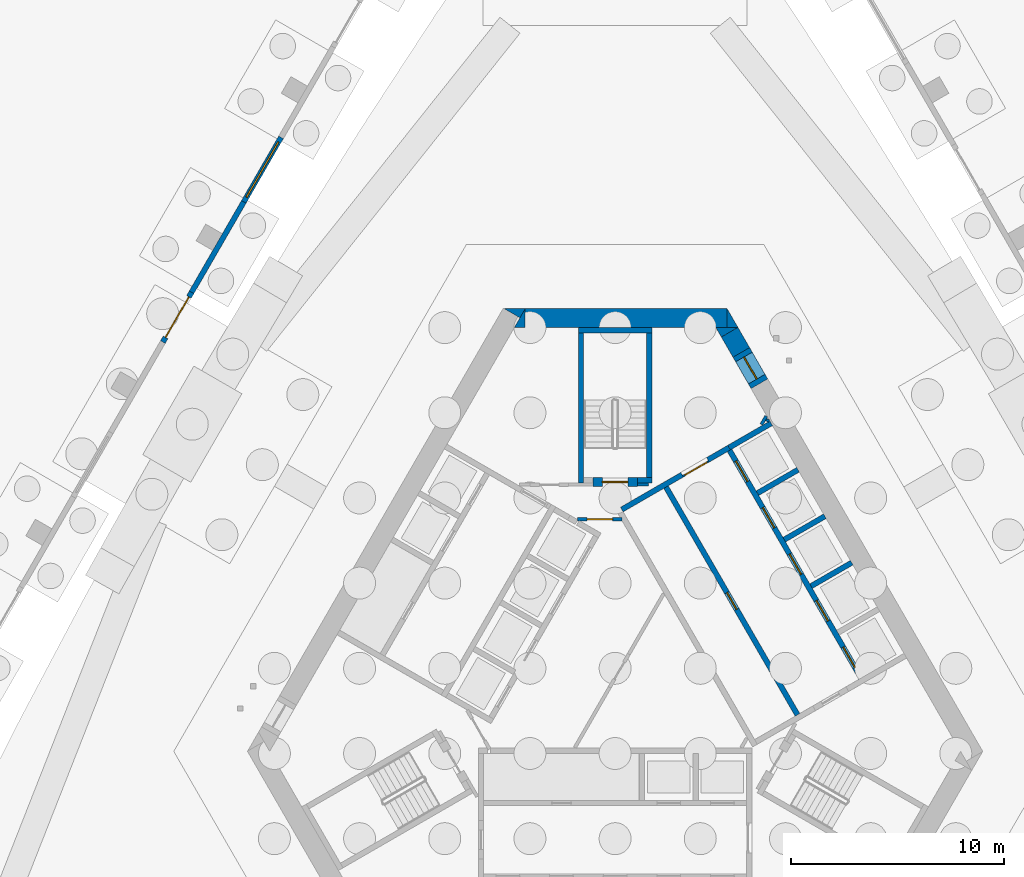
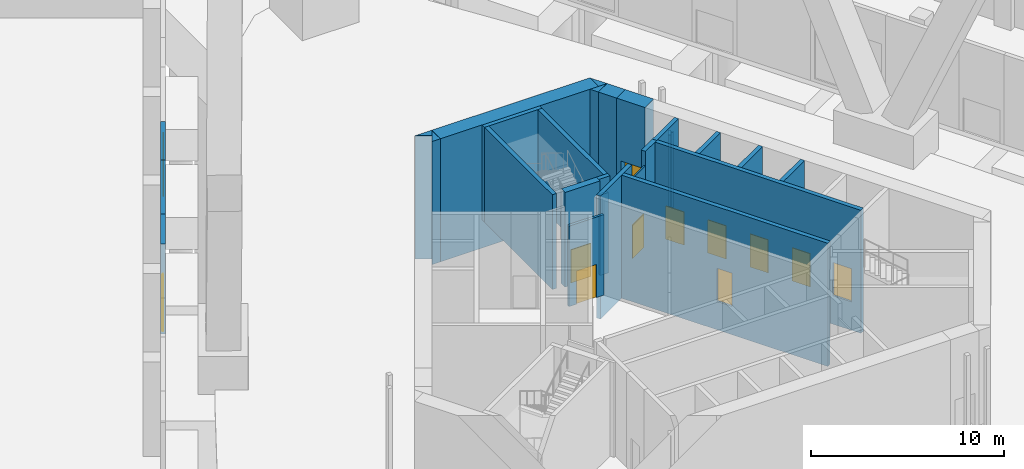
# One storey, part 17 of 38: 28 walls, 11 doors, 1 window, 12 openings.
"""IFC4 building model written with IfcOpenShell, lengths in metres."""

from ifc_helpers import new_model, si_unit, direction, frame, frame_2d, origin, place, context, subcontext, project, spatial, polyline, rectangle, outline, extrude, material, layer, layer_set, type_object, element, fill, save


model = new_model("IFC4")

# Units and contexts
model_context = context("Model", 3, precision=1e-05, world=origin(), true_north=direction((0.0, 1.0)))
body_context = subcontext(model_context, "Body", "Model", "MODEL_VIEW")
ifc_project = project(units=[si_unit("LENGTHUNIT", "METRE"), si_unit("AREAUNIT", "SQUARE_METRE"), si_unit("VOLUMEUNIT", "CUBIC_METRE"), si_unit("PLANEANGLEUNIT", "RADIAN"), si_unit("MASSUNIT", "GRAM", prefix="KILO")], contexts=[model_context])

# Site, building, storey
site_placement = place(None, origin())
site = spatial("IfcSite", under=ifc_project, at=site_placement, CompositionType="ELEMENT")
building_placement = place(site_placement, origin())
building = spatial("IfcBuilding", under=site, at=building_placement, Name="Mestral Congress Tower", CompositionType="ELEMENT")
storey_placement = place(building_placement, origin())
storey = spatial("IfcBuildingStorey", under=building, at=storey_placement, Name="L00", CompositionType="ELEMENT", Elevation=0.0)

# Walls
ifc_material_1 = material(Name="Fire-rated board partition")
ifc_layer_1 = layer(ifc_material_1, 0.14990234375)
ifc_layer_set_1 = layer_set([ifc_layer_1], Name="Fire-rated board partition")
wall_type_1 = type_object("IfcWallType", Name="Core partition 150", PredefinedType="PARTITIONING", material=ifc_layer_set_1)
wall_1_placement = place(storey_placement, frame((1.050048828125, 8.62548828125, 0.0), z_axis=(0.0, 0.0, 1.0), x_axis=(1.0, 0.0, 0.0)))
element("IfcWall", 1, at=wall_1_placement, inside=storey, type_object=wall_type_1, Name="L00 core wall", PredefinedType="PARTITIONING", context=body_context, shape_type="SweptSolid", body=[
    extrude(rectangle(XDim=0.513916015625, YDim=0.14990234375, at=frame_2d((0.2568359375, 0.0))), origin(), (0.0, 0.0, 1.0), 5.10009765625),
])
wall_2_placement = place(storey_placement, frame((6.87158203125, 11.44970703125, 0.0), z_axis=(0.0, 0.0, 1.0), x_axis=(0.499846793097, 0.866113839764, 0.0)))
element("IfcWall", 2, at=wall_2_placement, inside=storey, type_object=wall_type_1, Name="L00 core wall", PredefinedType="PARTITIONING", context=body_context, shape_type="SweptSolid", body=[
    extrude(rectangle(XDim=0.453369140625, YDim=0.14990234375, at=frame_2d((0.2265625, 0.0))), origin(), (0.0, 0.0, 1.0), 5.10009765625),
])
wall_3_placement = place(storey_placement, frame((7.13134765625, 11.599609375, 0.0), z_axis=(0.0, 0.0, 1.0), x_axis=(0.498600033135, 0.866832167699, 0.0)))
element("IfcWall", 3, at=wall_3_placement, inside=storey, type_object=wall_type_1, Name="L00 core wall", PredefinedType="PARTITIONING", context=body_context, shape_type="SweptSolid", body=[
    extrude(rectangle(XDim=0.106689453125, YDim=0.14990234375, at=frame_2d((0.05322265625, 0.0))), origin(), (0.0, 0.0, 1.0), 5.10009765625),
])

# Wall, opening, door
wall_4_placement = place(storey_placement, frame((-1.765380859375, 7.0, 0.0), z_axis=(0.0, 0.0, 1.0), x_axis=(1.0, 0.0, 0.0)))
wall_4 = element("IfcWall", 4, at=wall_4_placement, inside=storey, type_object=wall_type_1, Name="L00 door wall", PredefinedType="PARTITIONING", context=body_context, shape_type="SweptSolid", body=[
    extrude(rectangle(XDim=2.10009765625, YDim=0.14990234375, at=frame_2d((1.050048828125, 0.0))), origin(), (0.0, 0.0, 1.0), 5.10009765625),
])
opening_1_placement = place(wall_4_placement, frame((0.449951171875, 0.0, 0.0)))
opening_1 = element("IfcOpeningElement", 5, at=opening_1_placement, cuts=wall_4, Name="Opening CD2-FF", PredefinedType="OPENING", context=body_context, shape_type="SweptSolid", body=[
    extrude(rectangle(XDim=1.199951171875, YDim=2.10009765625, at=frame_2d((0.60009765625, 1.050048828125))), frame((0.0, 0.0849609375, 0.0), z_axis=(0.0, -1.0, 0.0), x_axis=(1.0, 0.0, 0.0)), (0.0, 0.0, 1.0), 0.169921875),
])
ifc_material_2 = material(Name="Fire-rated steel door set", Category="steel")
door_type_1 = type_object("IfcDoorType", Name="Core door CD 1200x2100", OperationType="SINGLE_SWING_LEFT", PredefinedType="DOOR", material=ifc_material_2)
door_1_placement = place(opening_1_placement, origin())
door_1 = element("IfcDoor", 6, at=door_1_placement, inside=storey, type_object=door_type_1, Name="Door CD2-FF", OperationType="SINGLE_SWING_LEFT", OverallHeight=2.10009765625, OverallWidth=1.199951171875, PredefinedType="DOOR", context=body_context, shape_type="SweptSolid", body=[
    extrude(rectangle(XDim=1.199951171875, YDim=2.10009765625, at=frame_2d((0.60009765625, 1.050048828125))), frame((0.0, 0.02490234375, 0.0), z_axis=(0.0, -1.0, 0.0), x_axis=(1.0, 0.0, 0.0)), (0.0, 0.0, 1.0), 0.050048828125),
])
fill(opening_1, door_1)

ifc_layer_2 = layer(ifc_material_1, 0.090087890625)
ifc_layer_set_2 = layer_set([ifc_layer_2], Name="Fire-rated board partition")
wall_type_2 = type_object("IfcWallType", Name="Core partition 150 door-wall 90", PredefinedType="PARTITIONING", material=ifc_layer_set_2)
wall_5_placement = place(storey_placement, frame((3.182861328125, 9.02001953125, 0.0), z_axis=(0.0, 0.0, 1.0), x_axis=(0.866034573852, 0.49998411664, 0.0)))
wall_5 = element("IfcWall", 7, at=wall_5_placement, inside=storey, type_object=wall_type_2, Name="L00 door wall", PredefinedType="PARTITIONING", context=body_context, shape_type="SweptSolid", body=[
    extrude(rectangle(XDim=1.39990234375, YDim=0.090087890625, at=frame_2d((0.699951171875, 0.0))), origin(), (0.0, 0.0, 1.0), 5.10009765625),
])
opening_2_placement = place(wall_5_placement, frame((0.10009765625, 0.0, 0.0)))
opening_2 = element("IfcOpeningElement", 8, at=opening_2_placement, cuts=wall_5, Name="Opening LB1-WL2", PredefinedType="OPENING", context=body_context, shape_type="SweptSolid", body=[
    extrude(rectangle(XDim=1.199951171875, YDim=2.10009765625, at=frame_2d((0.60009765625, 1.050048828125))), frame((0.0, 0.054931640625, 0.0), z_axis=(0.0, -1.0, 0.0), x_axis=(1.0, 0.0, 0.0)), (0.0, 0.0, 1.0), 0.110107421875),
])
door_type_2 = type_object("IfcDoorType", Name="Core door LB 1200x2100", OperationType="SINGLE_SWING_LEFT", PredefinedType="DOOR", material=ifc_material_2)
door_2_placement = place(opening_2_placement, origin())
door_2 = element("IfcDoor", 9, at=door_2_placement, inside=storey, type_object=door_type_2, Name="Door LB1-WL2", OperationType="SINGLE_SWING_LEFT", OverallHeight=2.10009765625, OverallWidth=1.199951171875, PredefinedType="DOOR", context=body_context, shape_type="SweptSolid", body=[
    extrude(rectangle(XDim=1.199951171875, YDim=2.10009765625, at=frame_2d((0.60009765625, 1.050048828125))), frame((0.0, 0.02490234375, 0.0), z_axis=(0.0, -1.0, 0.0), x_axis=(1.0, 0.0, 0.0)), (0.0, 0.0, 1.0), 0.050048828125),
])
fill(opening_2, door_2)

# Walls
ifc_material_3 = material(Name="Concrete C60/75", Category="concrete")
ifc_layer_3 = layer(ifc_material_3, 0.89990234375)
ifc_layer_set_3 = layer_set([ifc_layer_3], Name="Concrete C60/75")
wall_type_3 = type_object("IfcWallType", Name="Core wall RC 900", PredefinedType="SOLIDWALL", material=ifc_layer_set_3)
placement = place(storey_placement, frame((0.0, 0.0, -1.800048828125)))
element("IfcWall", 10, at=placement, inside=storey, type_object=wall_type_3, Name="L00 core wall", PredefinedType="SOLIDWALL", context=body_context, shape_type="SweptSolid", body=[
    extrude(outline(polyline([(-4.214599609375, 16.89990234375), (-4.46875, 16.460205078125), (-5.230712890625, 16.89990234375), (-4.214599609375, 16.89990234375)])), origin(), (0.0, 0.0, 1.0), 7.800048828125),
])
wall_7_placement = place(storey_placement, frame((-4.224365234375, 16.449951171875, -1.800048828125), z_axis=(0.0, 0.0, 1.0), x_axis=(1.0, 0.0, 0.0)))
element("IfcWall", 11, at=wall_7_placement, inside=storey, type_object=wall_type_3, Name="L00 core wall", PredefinedType="SOLIDWALL", context=body_context, shape_type="SweptSolid", body=[
    extrude(rectangle(XDim=9.48779296875, YDim=0.89990234375, at=frame_2d((4.743896484375, 0.0))), origin(), (0.0, 0.0, 1.0), 7.800048828125),
])
element("IfcWall", 12, at=placement, inside=storey, type_object=wall_type_3, Name="L00 core wall", PredefinedType="SOLIDWALL", context=body_context, shape_type="SweptSolid", body=[
    extrude(outline(polyline([(5.265380859375, 16.0), (5.265380859375, 16.8798828125), (5.7734375, 16.0), (5.265380859375, 16.0)])), origin(), (0.0, 0.0, 1.0), 7.800048828125),
])
element("IfcWall", 13, at=placement, inside=storey, type_object=wall_type_3, Name="L00 core wall", PredefinedType="SOLIDWALL", context=body_context, shape_type="SweptSolid", body=[
    extrude(outline(polyline([(-4.734375, 16.0), (-4.226318359375, 16.8798828125), (-4.226318359375, 16.0), (-4.734375, 16.0)])), origin(), (0.0, 0.0, 1.0), 7.800048828125),
])
wall_10_placement = place(storey_placement, frame((5.92578125, 14.836181640625, -1.800048828125), z_axis=(0.0, 0.0, 1.0), x_axis=(-0.500076735116, 0.865981096212, 0.0)))
element("IfcWall", 14, at=wall_10_placement, inside=storey, type_object=wall_type_3, Name="L00 core wall", PredefinedType="SOLIDWALL", context=body_context, shape_type="SweptSolid", body=[
    extrude(rectangle(XDim=1.093505859375, YDim=0.89990234375, at=frame_2d((0.546875, 0.0))), origin(), (0.0, 0.0, 1.0), 7.800048828125),
])
element("IfcWall", 15, at=placement, inside=storey, type_object=wall_type_3, Name="L00 core wall", PredefinedType="SOLIDWALL", context=body_context, shape_type="SweptSolid", body=[
    extrude(outline(polyline([(4.734375, 16.0), (5.750244140625, 16.0), (4.98828125, 15.56005859375), (4.734375, 16.0)])), origin(), (0.0, 0.0, 1.0), 7.800048828125),
])

# Wall, opening, door
wall_12_placement = place(storey_placement, frame((5.92578125, 14.836181640625, -1.800048828125), z_axis=(0.0, 0.0, 1.0), x_axis=(0.500062241894, -0.865989465428, 0.0)))
wall_12 = element("IfcWall", 16, at=wall_12_placement, inside=storey, type_object=wall_type_3, Name="L00 door wall", PredefinedType="SOLIDWALL", context=body_context, shape_type="SweptSolid", body=[
    extrude(rectangle(XDim=1.699951171875, YDim=0.89990234375, at=frame_2d((0.85009765625, 0.0))), origin(), (0.0, 0.0, 1.0), 7.800048828125),
])
opening_3_placement = place(wall_12_placement, frame((0.25, 0.0, 1.800048828125)))
opening_3 = element("IfcOpeningElement", 17, at=opening_3_placement, cuts=wall_12, Name="Opening XD2", PredefinedType="OPENING", context=body_context, shape_type="SweptSolid", body=[
    extrude(rectangle(XDim=1.199951171875, YDim=2.10009765625, at=frame_2d((0.60009765625, 1.050048828125))), frame((0.0, 0.4599609375, 0.0), z_axis=(0.0, -1.0, 0.0), x_axis=(1.0, 0.0, 0.0)), (0.0, 0.0, 1.0), 0.919921875),
])
door_type_3 = type_object("IfcDoorType", Name="Core door XD 1200x2100", OperationType="SINGLE_SWING_LEFT", PredefinedType="DOOR", material=ifc_material_2)
door_3_placement = place(opening_3_placement, origin())
door_3 = element("IfcDoor", 18, at=door_3_placement, inside=storey, type_object=door_type_3, Name="Door XD2", OperationType="SINGLE_SWING_LEFT", OverallHeight=2.10009765625, OverallWidth=1.199951171875, PredefinedType="DOOR", context=body_context, shape_type="SweptSolid", body=[
    extrude(rectangle(XDim=1.199951171875, YDim=2.10009765625, at=frame_2d((0.60009765625, 1.050048828125))), frame((0.0, 0.02490234375, 0.0), z_axis=(0.0, -1.0, 0.0), x_axis=(1.0, 0.0, 0.0)), (0.0, 0.0, 1.0), 0.050048828125),
])
fill(opening_3, door_3)

# Wall, opening, window
ifc_material_4 = material(Name="Precast concrete C40/50 with limestone facing", Category="masonry")
ifc_layer_4 = layer(ifc_material_4, 0.25)
ifc_layer_set_4 = layer_set([ifc_layer_4], Name="Precast concrete C40/50 with limestone facing")
wall_type_4 = type_object("IfcWallType", Name="Podium external wall 250", PredefinedType="SOLIDWALL", material=ifc_layer_set_4)
wall_13_placement = place(storey_placement, frame((-15.6875, 24.934326171875, 0.0), z_axis=(0.0, 0.0, 1.0), x_axis=(-0.500010275428, -0.866019471182, 0.0)))
wall_13 = element("IfcWall", 19, at=wall_13_placement, inside=storey, type_object=wall_type_4, Name="L00 external wall", PredefinedType="SOLIDWALL", context=body_context, shape_type="SweptSolid", body=[
    extrude(rectangle(XDim=3.5, YDim=0.25, at=frame_2d((1.75, 0.0))), origin(), (0.0, 0.0, 1.0), 5.699951171875),
])
opening_4_placement = place(wall_13_placement, frame((0.25, 0.0, 3.199951171875)))
opening_4 = element("IfcOpeningElement", 20, at=opening_4_placement, cuts=wall_13, Name="Opening PW-3000x2000", PredefinedType="OPENING", context=body_context, shape_type="SweptSolid", body=[
    extrude(rectangle(XDim=3.0, YDim=2.0, at=frame_2d((1.5, 1.0))), frame((0.0, 0.135009765625, 0.0), z_axis=(0.0, -1.0, 0.0), x_axis=(1.0, 0.0, 0.0)), (0.0, 0.0, 1.0), 0.27001953125),
])
ifc_material_5 = material(Name="Aluminium frame, clear double glazing", Category="aluminium")
window_type = type_object("IfcWindowType", Name="Podium window 3000x2000 sill 3200", PartitioningType="SINGLE_PANEL", PredefinedType="WINDOW", material=ifc_material_5)
window_placement = place(opening_4_placement, origin())
window = element("IfcWindow", 21, at=window_placement, inside=storey, type_object=window_type, Name="Window", OverallHeight=2.0, OverallWidth=3.0, PartitioningType="SINGLE_PANEL", PredefinedType="WINDOW", context=body_context, shape_type="SweptSolid", body=[
    extrude(rectangle(XDim=3.0, YDim=2.0, at=frame_2d((1.5, 1.0))), frame((0.0, 0.030029296875, 0.0), z_axis=(0.0, -1.0, 0.0), x_axis=(1.0, 0.0, 0.0)), (0.0, 0.0, 1.0), 0.06005859375),
])
fill(opening_4, window)

# Wall
wall_14_placement = place(storey_placement, frame((-17.4375, 21.9033203125, 0.0), z_axis=(0.0, 0.0, 1.0), x_axis=(-0.500018594424, -0.866014668023, 0.0)))
element("IfcWall", 22, at=wall_14_placement, inside=storey, type_object=wall_type_4, Name="L00 external wall", PredefinedType="SOLIDWALL", context=body_context, shape_type="SweptSolid", body=[
    extrude(rectangle(XDim=4.900146484375, YDim=0.25, at=frame_2d((2.4501953125, 0.0))), origin(), (0.0, 0.0, 1.0), 5.699951171875),
])

# Wall, opening, door
wall_15_placement = place(storey_placement, frame((-19.8876953125, 17.65966796875, 0.0), z_axis=(0.0, 0.0, 1.0), x_axis=(-0.499980770555, -0.866036505625, 0.0)))
wall_15 = element("IfcWall", 23, at=wall_15_placement, inside=storey, type_object=wall_type_4, Name="L00 external wall", PredefinedType="SOLIDWALL", context=body_context, shape_type="SweptSolid", body=[
    extrude(rectangle(XDim=2.69970703125, YDim=0.25, at=frame_2d((1.349853515625, 0.0))), origin(), (0.0, 0.0, 1.0), 5.699951171875),
])
opening_5_placement = place(wall_15_placement, frame((0.25, 0.0, 0.0)))
opening_5 = element("IfcOpeningElement", 24, at=opening_5_placement, cuts=wall_15, Name="Opening P00-303", PredefinedType="OPENING", context=body_context, shape_type="SweptSolid", body=[
    extrude(rectangle(XDim=2.199951171875, YDim=2.10009765625, at=frame_2d((1.10009765625, 1.050048828125))), frame((0.0, 0.135009765625, 0.0), z_axis=(0.0, -1.0, 0.0), x_axis=(1.0, 0.0, 0.0)), (0.0, 0.0, 1.0), 0.27001953125),
])
ifc_material_6 = material(Name="Steel and glass door set", Category="steel")
door_type_4 = type_object("IfcDoorType", Name="Podium exit door 2200x2100", OperationType="DOUBLE_DOOR_SINGLE_SWING", PredefinedType="DOOR", material=ifc_material_6)
door_4_placement = place(opening_5_placement, origin())
door_4 = element("IfcDoor", 25, at=door_4_placement, inside=storey, type_object=door_type_4, Name="Door P00-303", OperationType="DOUBLE_DOOR_SINGLE_SWING", OverallHeight=2.10009765625, OverallWidth=2.199951171875, PredefinedType="DOOR", context=body_context, shape_type="SweptSolid", body=[
    extrude(rectangle(XDim=2.199951171875, YDim=2.10009765625, at=frame_2d((1.10009765625, 1.050048828125))), frame((0.0, 0.02490234375, 0.0), z_axis=(0.0, -1.0, 0.0), x_axis=(1.0, 0.0, 0.0)), (0.0, 0.0, 1.0), 0.050048828125),
])
fill(opening_5, door_4)

# Walls
ifc_layer_5 = layer(ifc_material_3, 0.25)
ifc_layer_set_5 = layer_set([ifc_layer_5], Name="Concrete C60/75")
wall_type_5 = type_object("IfcWallType", Name="Shaft wall RC 250", PredefinedType="SOLIDWALL", material=ifc_layer_set_5)
wall_16_placement = place(storey_placement, frame((4.3583984375, 9.791015625, -1.800048828125), z_axis=(0.0, 0.0, 1.0), x_axis=(0.866079547155, 0.499906209203, 0.0)))
element("IfcWall", 26, at=wall_16_placement, inside=storey, type_object=wall_type_5, Name="L00 core wall", PredefinedType="SOLIDWALL", context=body_context, shape_type="SweptSolid", body=[
    extrude(rectangle(XDim=1.150146484375, YDim=0.25, at=frame_2d((0.5751953125, 0.0))), origin(), (0.0, 0.0, 1.0), 7.800048828125),
])
wall_17_placement = place(storey_placement, frame((5.356201171875, 10.366943359375, -1.800048828125), z_axis=(0.0, 0.0, 1.0), x_axis=(0.865978535641, 0.50008116922, 0.0)))
element("IfcWall", 27, at=wall_17_placement, inside=storey, type_object=wall_type_5, Name="L00 core wall", PredefinedType="SOLIDWALL", context=body_context, shape_type="SweptSolid", body=[
    extrude(rectangle(XDim=2.27783203125, YDim=0.25, at=frame_2d((1.138916015625, 0.0))), origin(), (0.0, 0.0, 1.0), 7.800048828125),
])
wall_18_placement = place(storey_placement, frame((0.314208984375, 7.455810546875, -1.800048828125), z_axis=(0.0, 0.0, 1.0), x_axis=(0.866013897511, 0.50001992892, 0.0)))
element("IfcWall", 28, at=wall_18_placement, inside=storey, type_object=wall_type_5, Name="L00 core wall", PredefinedType="SOLIDWALL", context=body_context, shape_type="SweptSolid", body=[
    extrude(rectangle(XDim=3.267822265625, YDim=0.25, at=frame_2d((1.6337890625, 0.0))), origin(), (0.0, 0.0, 1.0), 7.800048828125),
])
for number, where, z_axis, x_axis, name in (
    (29, (6.68359375, 8.2236328125, -1.800048828125), (0.0, 0.0, 1.0), (0.86605622881, 0.499946605688, 0.0), "L00 core wall"),
    (30, (7.943603515625, 6.041259765625, -1.800048828125), (0.0, 0.0, 1.0), (0.86605622881, 0.499946605688, 0.0), "L00 core wall"),
    (31, (9.20361328125, 3.85888671875, -1.800048828125), (0.0, 0.0, 1.0), (0.86605622881, 0.499946605688, 0.0), "L00 core wall"),
):
    element("IfcWall", number, at=place(storey_placement, frame(where, z_axis=z_axis, x_axis=x_axis)), inside=storey, type_object=wall_type_5, Name=name, PredefinedType="SOLIDWALL", context=body_context, shape_type="SweptSolid", body=[
        extrude(rectangle(XDim=2.199951171875, YDim=0.25, at=frame_2d((1.10009765625, 0.0))), origin(), (0.0, 0.0, 1.0), 7.800048828125),
    ])

# Wall, openings, doors
wall_19_placement = place(storey_placement, frame((11.552978515625, -0.460205078125, -1.800048828125), z_axis=(0.0, 0.0, 1.0), x_axis=(-0.500006514828, 0.866021642414, 0.0)))
wall_19 = element("IfcWall", 32, at=wall_19_placement, inside=storey, type_object=wall_type_5, Name="L00 door wall", PredefinedType="SOLIDWALL", context=body_context, shape_type="SweptSolid", body=[
    extrude(rectangle(XDim=12.349853515625, YDim=0.25, at=frame_2d((6.1748046875, 0.0))), origin(), (0.0, 0.0, 1.0), 7.800048828125),
])
opening_6_placement = place(wall_19_placement, frame((0.5849609375, 0.0, 1.800048828125)))
opening_6 = element("IfcOpeningElement", 33, at=opening_6_placement, cuts=wall_19, Name="Opening LD-NEA1", PredefinedType="OPENING", context=body_context, shape_type="SweptSolid", body=[
    extrude(rectangle(XDim=1.10009765625, YDim=2.10009765625, at=frame_2d((0.550048828125, 1.050048828125))), frame((0.0, 0.135009765625, 0.0), z_axis=(0.0, -1.0, 0.0), x_axis=(1.0, 0.0, 0.0)), (0.0, 0.0, 1.0), 0.27001953125),
])
opening_7_placement = place(wall_19_placement, frame((3.10498046875, 0.0, 1.800048828125)))
opening_7 = element("IfcOpeningElement", 34, at=opening_7_placement, cuts=wall_19, Name="Opening LD-NEA2", PredefinedType="OPENING", context=body_context, shape_type="SweptSolid", body=[
    extrude(rectangle(XDim=1.10009765625, YDim=2.10009765625, at=frame_2d((0.550048828125, 1.050048828125))), frame((0.0, 0.135009765625, 0.0), z_axis=(0.0, -1.0, 0.0), x_axis=(1.0, 0.0, 0.0)), (0.0, 0.0, 1.0), 0.27001953125),
])
opening_8_placement = place(wall_19_placement, frame((5.625, 0.0, 1.800048828125)))
opening_8 = element("IfcOpeningElement", 35, at=opening_8_placement, cuts=wall_19, Name="Opening LD-NEA3", PredefinedType="OPENING", context=body_context, shape_type="SweptSolid", body=[
    extrude(rectangle(XDim=1.10009765625, YDim=2.10009765625, at=frame_2d((0.550048828125, 1.050048828125))), frame((0.0, 0.135009765625, 0.0), z_axis=(0.0, -1.0, 0.0), x_axis=(1.0, 0.0, 0.0)), (0.0, 0.0, 1.0), 0.27001953125),
])
opening_9_placement = place(wall_19_placement, frame((8.14501953125, 0.0, 1.800048828125)))
opening_9 = element("IfcOpeningElement", 36, at=opening_9_placement, cuts=wall_19, Name="Opening LD-NEA4", PredefinedType="OPENING", context=body_context, shape_type="SweptSolid", body=[
    extrude(rectangle(XDim=1.10009765625, YDim=2.10009765625, at=frame_2d((0.550048828125, 1.050048828125))), frame((0.0, 0.135009765625, 0.0), z_axis=(0.0, -1.0, 0.0), x_axis=(1.0, 0.0, 0.0)), (0.0, 0.0, 1.0), 0.27001953125),
])
opening_10_placement = place(wall_19_placement, frame((10.6650390625, 0.0, 1.800048828125)))
opening_10 = element("IfcOpeningElement", 37, at=opening_10_placement, cuts=wall_19, Name="Opening LD-NEA5", PredefinedType="OPENING", context=body_context, shape_type="SweptSolid", body=[
    extrude(rectangle(XDim=1.10009765625, YDim=2.10009765625, at=frame_2d((0.550048828125, 1.050048828125))), frame((0.0, 0.135009765625, 0.0), z_axis=(0.0, -1.0, 0.0), x_axis=(1.0, 0.0, 0.0)), (0.0, 0.0, 1.0), 0.27001953125),
])
door_type_5 = type_object("IfcDoorType", Name="Core door LD 1100x2100", OperationType="DOUBLE_DOOR_SLIDING", PredefinedType="DOOR", material=ifc_material_2)
door_5_placement = place(opening_6_placement, origin())
door_5 = element("IfcDoor", 38, at=door_5_placement, inside=storey, type_object=door_type_5, Name="Door LD-NEA1", OperationType="DOUBLE_DOOR_SLIDING", OverallHeight=2.10009765625, OverallWidth=1.10009765625, PredefinedType="DOOR", context=body_context, shape_type="SweptSolid", body=[
    extrude(rectangle(XDim=1.10009765625, YDim=2.10009765625, at=frame_2d((0.550048828125, 1.050048828125))), frame((0.0, 0.02490234375, 0.0), z_axis=(0.0, -1.0, 0.0), x_axis=(1.0, 0.0, 0.0)), (0.0, 0.0, 1.0), 0.050048828125),
])
fill(opening_6, door_5)
door_6_placement = place(opening_7_placement, origin())
door_6 = element("IfcDoor", 39, at=door_6_placement, inside=storey, type_object=door_type_5, Name="Door LD-NEA2", OperationType="DOUBLE_DOOR_SLIDING", OverallHeight=2.10009765625, OverallWidth=1.10009765625, PredefinedType="DOOR", context=body_context, shape_type="SweptSolid", body=[
    extrude(rectangle(XDim=1.10009765625, YDim=2.10009765625, at=frame_2d((0.550048828125, 1.050048828125))), frame((0.0, 0.02490234375, 0.0), z_axis=(0.0, -1.0, 0.0), x_axis=(1.0, 0.0, 0.0)), (0.0, 0.0, 1.0), 0.050048828125),
])
fill(opening_7, door_6)
door_7_placement = place(opening_8_placement, origin())
door_7 = element("IfcDoor", 40, at=door_7_placement, inside=storey, type_object=door_type_5, Name="Door LD-NEA3", OperationType="DOUBLE_DOOR_SLIDING", OverallHeight=2.10009765625, OverallWidth=1.10009765625, PredefinedType="DOOR", context=body_context, shape_type="SweptSolid", body=[
    extrude(rectangle(XDim=1.10009765625, YDim=2.10009765625, at=frame_2d((0.550048828125, 1.050048828125))), frame((0.0, 0.02490234375, 0.0), z_axis=(0.0, -1.0, 0.0), x_axis=(1.0, 0.0, 0.0)), (0.0, 0.0, 1.0), 0.050048828125),
])
fill(opening_8, door_7)
door_8_placement = place(opening_9_placement, origin())
door_8 = element("IfcDoor", 41, at=door_8_placement, inside=storey, type_object=door_type_5, Name="Door LD-NEA4", OperationType="DOUBLE_DOOR_SLIDING", OverallHeight=2.10009765625, OverallWidth=1.10009765625, PredefinedType="DOOR", context=body_context, shape_type="SweptSolid", body=[
    extrude(rectangle(XDim=1.10009765625, YDim=2.10009765625, at=frame_2d((0.550048828125, 1.050048828125))), frame((0.0, 0.02490234375, 0.0), z_axis=(0.0, -1.0, 0.0), x_axis=(1.0, 0.0, 0.0)), (0.0, 0.0, 1.0), 0.050048828125),
])
fill(opening_9, door_8)
door_9_placement = place(opening_10_placement, origin())
door_9 = element("IfcDoor", 42, at=door_9_placement, inside=storey, type_object=door_type_5, Name="Door LD-NEA5", OperationType="DOUBLE_DOOR_SLIDING", OverallHeight=2.10009765625, OverallWidth=1.10009765625, PredefinedType="DOOR", context=body_context, shape_type="SweptSolid", body=[
    extrude(rectangle(XDim=1.10009765625, YDim=2.10009765625, at=frame_2d((0.550048828125, 1.050048828125))), frame((0.0, 0.02490234375, 0.0), z_axis=(0.0, -1.0, 0.0), x_axis=(1.0, 0.0, 0.0)), (0.0, 0.0, 1.0), 0.050048828125),
])
fill(opening_10, door_9)

# Wall, opening, door
wall_20_placement = place(storey_placement, frame((8.565185546875, -2.185302734375, -1.800048828125), z_axis=(0.0, 0.0, 1.0), x_axis=(-0.499997954832, 0.866026584559, 0.0)))
wall_20 = element("IfcWall", 43, at=wall_20_placement, inside=storey, type_object=wall_type_5, Name="L00 door wall", PredefinedType="SOLIDWALL", context=body_context, shape_type="SweptSolid", body=[
    extrude(rectangle(XDim=12.35009765625, YDim=0.25, at=frame_2d((6.175048828125, 0.0))), origin(), (0.0, 0.0, 1.0), 7.800048828125),
])
opening_11_placement = place(wall_20_placement, frame((5.72509765625, 0.0, 1.800048828125)))
opening_11 = element("IfcOpeningElement", 44, at=opening_11_placement, cuts=wall_20, Name="Opening SR-NEB1", PredefinedType="OPENING", context=body_context, shape_type="SweptSolid", body=[
    extrude(rectangle(XDim=0.89990234375, YDim=2.10009765625, at=frame_2d((0.449951171875, 1.050048828125))), frame((0.0, 0.135009765625, 0.0), z_axis=(0.0, -1.0, 0.0), x_axis=(1.0, 0.0, 0.0)), (0.0, 0.0, 1.0), 0.27001953125),
])
door_type_6 = type_object("IfcDoorType", Name="Core door SR 900x2100", OperationType="SINGLE_SWING_LEFT", PredefinedType="DOOR", material=ifc_material_2)
door_10_placement = place(opening_11_placement, origin())
door_10 = element("IfcDoor", 45, at=door_10_placement, inside=storey, type_object=door_type_6, Name="Door SR-NEB1", OperationType="SINGLE_SWING_LEFT", OverallHeight=2.10009765625, OverallWidth=0.89990234375, PredefinedType="DOOR", context=body_context, shape_type="SweptSolid", body=[
    extrude(rectangle(XDim=0.89990234375, YDim=2.10009765625, at=frame_2d((0.449951171875, 1.050048828125))), frame((0.0, 0.02490234375, 0.0), z_axis=(0.0, -1.0, 0.0), x_axis=(1.0, 0.0, 0.0)), (0.0, 0.0, 1.0), 0.050048828125),
])
fill(opening_11, door_10)

# Walls
ifc_layer_6 = layer(ifc_material_3, 0.25)
ifc_layer_set_6 = layer_set([ifc_layer_6], Name="Concrete C60/75")
wall_type_6 = type_object("IfcWallType", Name="Stair wall RC 250", PredefinedType="SOLIDWALL", material=ifc_layer_set_6)
wall_21_placement = place(storey_placement, frame((-1.72509765625, 15.875, 0.0), z_axis=(0.0, 0.0, 1.0), x_axis=(1.0, 0.0, 0.0)))
element("IfcWall", 46, at=wall_21_placement, inside=storey, type_object=wall_type_6, Name="L00 core wall", PredefinedType="SOLIDWALL", context=body_context, shape_type="SweptSolid", body=[
    extrude(rectangle(XDim=3.4501953125, YDim=0.25, at=frame_2d((1.72509765625, 0.0))), origin(), (0.0, 0.0, 1.0), 6.0),
])
wall_22_placement = place(storey_placement, frame((1.60009765625, 8.949951171875, 0.0), z_axis=(0.0, 0.0, 1.0), x_axis=(0.0, 1.0, 0.0)))
element("IfcWall", 47, at=wall_22_placement, inside=storey, type_object=wall_type_6, Name="L00 core wall", PredefinedType="SOLIDWALL", context=body_context, shape_type="SweptSolid", body=[
    extrude(rectangle(XDim=6.800048828125, YDim=0.25, at=frame_2d((3.39990234375, 0.0))), origin(), (0.0, 0.0, 1.0), 6.0),
])
wall_23_placement = place(storey_placement, frame((1.050048828125, 8.824951171875, 0.0), z_axis=(0.0, 0.0, 1.0), x_axis=(1.0, 0.0, 0.0)))
element("IfcWall", 48, at=wall_23_placement, inside=storey, type_object=wall_type_6, Name="L00 core wall", PredefinedType="SOLIDWALL", context=body_context, shape_type="SweptSolid", body=[
    extrude(rectangle(XDim=0.675048828125, YDim=0.25, at=frame_2d((0.33740234375, 0.0))), origin(), (0.0, 0.0, 1.0), 6.0),
])
wall_24_placement = place(storey_placement, frame((-1.60009765625, 8.699951171875, 0.0), z_axis=(0.0, 0.0, 1.0), x_axis=(0.0, 1.0, 0.0)))
element("IfcWall", 49, at=wall_24_placement, inside=storey, type_object=wall_type_6, Name="L00 core wall", PredefinedType="SOLIDWALL", context=body_context, shape_type="SweptSolid", body=[
    extrude(rectangle(XDim=7.050048828125, YDim=0.25, at=frame_2d((3.52490234375, 0.0))), origin(), (0.0, 0.0, 1.0), 6.0),
])

# Wall, opening, door
ifc_layer_7 = layer(ifc_material_3, 0.39990234375)
ifc_layer_set_7 = layer_set([ifc_layer_7], Name="Concrete C60/75")
wall_type_7 = type_object("IfcWallType", Name="Stair wall RC 250 door-wall 400", PredefinedType="SOLIDWALL", material=ifc_layer_set_7)
wall_25_placement = place(storey_placement, frame((1.050048828125, 8.75, 0.0), z_axis=(0.0, 0.0, 1.0), x_axis=(-1.0, 0.0, 0.0)))
wall_25 = element("IfcWall", 50, at=wall_25_placement, inside=storey, type_object=wall_type_7, Name="L00 door wall", PredefinedType="SOLIDWALL", context=body_context, shape_type="SweptSolid", body=[
    extrude(rectangle(XDim=2.10009765625, YDim=0.39990234375, at=frame_2d((1.050048828125, 0.0))), origin(), (0.0, 0.0, 1.0), 6.0),
])
opening_12_placement = place(wall_25_placement, frame((0.449951171875, 0.0, 0.0)))
opening_12 = element("IfcOpeningElement", 51, at=opening_12_placement, cuts=wall_25, Name="Opening ST-D2", PredefinedType="OPENING", context=body_context, shape_type="SweptSolid", body=[
    extrude(rectangle(XDim=1.199951171875, YDim=2.10009765625, at=frame_2d((0.60009765625, 1.050048828125))), frame((0.0, 0.2099609375, 0.0), z_axis=(0.0, -1.0, 0.0), x_axis=(1.0, 0.0, 0.0)), (0.0, 0.0, 1.0), 0.419921875),
])
door_type_7 = type_object("IfcDoorType", Name="Core door ST 1200x2100", OperationType="SINGLE_SWING_LEFT", PredefinedType="DOOR", material=ifc_material_2)
door_11_placement = place(opening_12_placement, origin())
door_11 = element("IfcDoor", 52, at=door_11_placement, inside=storey, type_object=door_type_7, Name="Door ST-D2", OperationType="SINGLE_SWING_LEFT", OverallHeight=2.10009765625, OverallWidth=1.199951171875, PredefinedType="DOOR", context=body_context, shape_type="SweptSolid", body=[
    extrude(rectangle(XDim=1.199951171875, YDim=2.10009765625, at=frame_2d((0.60009765625, 1.050048828125))), frame((0.0, 0.02490234375, 0.0), z_axis=(0.0, -1.0, 0.0), x_axis=(1.0, 0.0, 0.0)), (0.0, 0.0, 1.0), 0.050048828125),
])
fill(opening_12, door_11)

save(model, "model.ifc")
